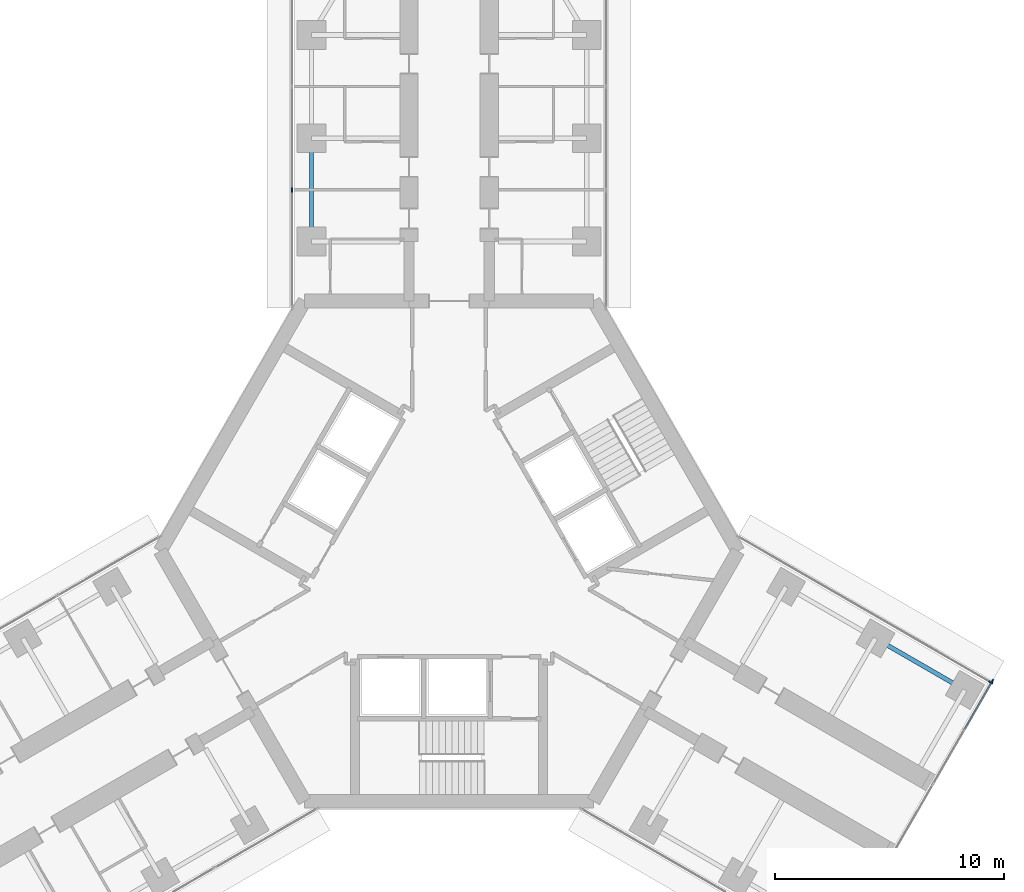
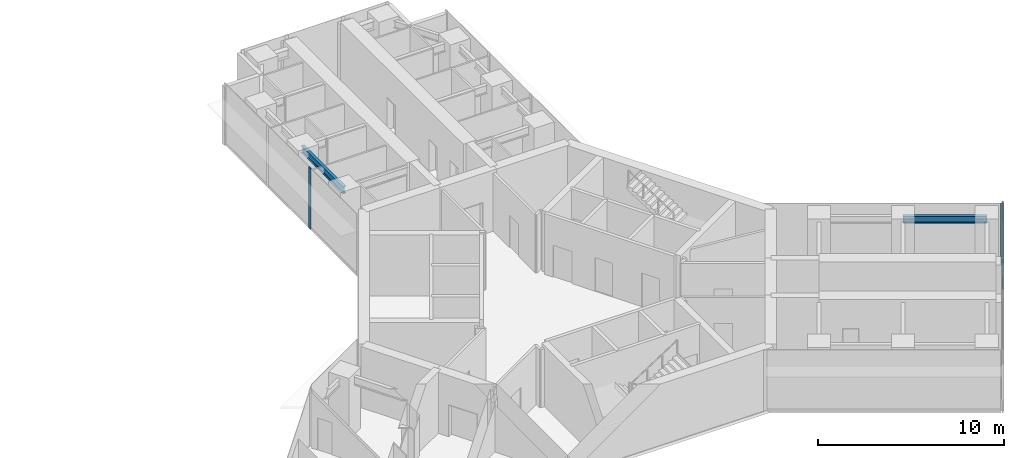
# One storey, part 11 of 23: 4 members, 2 beams, 3 elements without a shape of their own.
"""IFC4 building model written with IfcOpenShell, lengths in metres."""

from ifc_helpers import new_model, si_unit, direction, frame, origin, origin_2d, place, context, subcontext, project, spatial, rectangle, i_section, extrude, material, material_profile, profile_set, type_object, element, aggregate, save


model = new_model("IFC4")

# Units and contexts
model_context = context("Model", 3, precision=1e-05, world=origin(), true_north=direction((0.0, 1.0)))
body_context = subcontext(model_context, "Body", "Model", "MODEL_VIEW")
ifc_project = project(units=[si_unit("LENGTHUNIT", "METRE"), si_unit("AREAUNIT", "SQUARE_METRE"), si_unit("VOLUMEUNIT", "CUBIC_METRE"), si_unit("PLANEANGLEUNIT", "RADIAN"), si_unit("MASSUNIT", "GRAM", prefix="KILO")], contexts=[model_context])

# Site, building, storey
site_placement = place(None, origin())
site = spatial("IfcSite", under=ifc_project, at=site_placement, CompositionType="ELEMENT")
building_placement = place(site_placement, origin())
building = spatial("IfcBuilding", under=site, at=building_placement, Name="Upepo Twin Towers", CompositionType="ELEMENT")
storey_placement = place(building_placement, frame((0.0, 0.0, 145.5)))
storey = spatial("IfcBuildingStorey", under=building, at=storey_placement, Name="L35", CompositionType="ELEMENT", Elevation=145.5)

# Beams
ifc_material_1 = material(Name="Steel S355", Category="steel")
ifc_material_profile_1 = material_profile(ifc_material_1, i_section(OverallWidth=0.1904296875, OverallDepth=0.45703125, WebThickness=0.009033203125, FlangeThickness=0.014404296875, FilletRadius=0.01025390625, at=origin_2d()), Name="UB 457x191x74")
ifc_profile_set_1 = profile_set([ifc_material_profile_1], Name="Steel S355")
beam_type = type_object("IfcBeamType", Name="Beam UB 457x191x74", PredefinedType="BEAM", material=ifc_profile_set_1)
for number, where, z_axis, x_axis, name in (
    (1, (52.5, -4.5, 3.571533203125), (0.0, 1.0, 0.0), (-1.0, 0.0, 0.0), "T2 edge beam AL 13.5-18.0"),
    (2, (77.08837890625, -21.803955078125, 3.571533203125), (0.866031096941, -0.499990139034, 0.0), (0.499990139034, 0.866031096941, 0.0), "T2 edge beam CL 18.0-22.5"),
):
    element("IfcBeam", number, at=place(storey_placement, frame(where, z_axis=z_axis, x_axis=x_axis)), inside=storey, type_object=beam_type, Name=name, PredefinedType="BEAM", context=body_context, shape_type="SweptSolid", body=[
        extrude(i_section(OverallWidth=0.1904296875, OverallDepth=0.45703125, WebThickness=0.009033203125, FlangeThickness=0.014404296875, FilletRadius=0.01025390625, at=origin_2d()), origin(), (0.0, 0.0, 1.0), 4.5),
    ])

# Curtain wall, member
ifc_material_2 = material(Name="Aluminium and fritted glass", Category="aluminium")
curtain_wall_type = type_object("IfcCurtainWallType", Name="Tower curtain wall TW2, fritted glass", PredefinedType="NOTDEFINED", material=ifc_material_2)
curtain_wall_1_placement = place(storey_placement, origin())
curtain_wall_1 = element("IfcCurtainWall", 3, at=curtain_wall_1_placement, inside=storey, type_object=curtain_wall_type, Name="T2 L35 wing A flank L curtain wall", PredefinedType="NOTDEFINED")
ifc_material_3 = material(Name="Aluminium mullion", Category="aluminium")
ifc_material_profile_2 = material_profile(ifc_material_3, rectangle(XDim=0.06494140625, YDim=0.199951171875, at=origin_2d()), Name="MULLION 65x200")
ifc_profile_set_2 = profile_set([ifc_material_profile_2], Name="Aluminium mullion")
member_type_1 = type_object("IfcMemberType", Name="Mullion 65x200 TW2", PredefinedType="MULLION", material=ifc_profile_set_2)
member_1_placement = place(storey_placement, frame((51.64990234375, -2.25, 0.0), z_axis=(0.0, 0.0, 1.0), x_axis=(-1.0, 0.0, 0.0)))
member_1 = element("IfcMember", 4, at=member_1_placement, type_object=member_type_1, Name="T2 L35 wing A flank L curtain wall mullion 2", PredefinedType="MULLION", context=body_context, shape_type="SweptSolid", body=[
    extrude(rectangle(XDim=0.06494140625, YDim=0.199951171875, at=origin_2d()), origin(), (0.0, 0.0, 1.0), 4.0),
])
aggregate(curtain_wall_1, [member_1])

curtain_wall_2_placement = place(storey_placement, origin())
curtain_wall_2 = element("IfcCurtainWall", 5, at=curtain_wall_2_placement, inside=storey, type_object=curtain_wall_type, Name="T2 L35 wing C flank L curtain wall", PredefinedType="NOTDEFINED")
member_2_placement = place(storey_placement, frame((82.11865234375, -23.7265625, 0.0), z_axis=(0.0, 0.0, 1.0), x_axis=(0.50000000792, 0.866025399212, 0.0)))
member_2 = element("IfcMember", 6, at=member_2_placement, type_object=member_type_1, Name="T2 L35 wing C flank L curtain wall mullion 2", PredefinedType="MULLION", context=body_context, shape_type="SweptSolid", body=[
    extrude(rectangle(XDim=0.06494140625, YDim=0.199951171875, at=origin_2d()), origin(), (0.0, 0.0, 1.0), 4.0),
])
aggregate(curtain_wall_2, [member_2])

# Curtain wall, members
curtain_wall_3_placement = place(storey_placement, origin())
curtain_wall_3 = element("IfcCurtainWall", 7, at=curtain_wall_3_placement, inside=storey, type_object=curtain_wall_type, Name="T2 L35 wing C nose curtain wall", PredefinedType="NOTDEFINED")
member_3_placement = place(storey_placement, frame((82.180419921875, -23.684326171875, 0.0), z_axis=(0.0, 0.0, 1.0), x_axis=(-0.866025419745, 0.499999972355, 0.0)))
member_3 = element("IfcMember", 8, at=member_3_placement, type_object=member_type_1, Name="T2 L35 wing C nose curtain wall mullion 6", PredefinedType="MULLION", context=body_context, shape_type="SweptSolid", body=[
    extrude(rectangle(XDim=0.06494140625, YDim=0.199951171875, at=origin_2d()), origin(), (0.0, 0.0, 1.0), 4.0),
])
ifc_material_4 = material(Name="Aluminium transom", Category="aluminium")
ifc_material_profile_3 = material_profile(ifc_material_4, rectangle(XDim=0.06494140625, YDim=0.14990234375, at=origin_2d()), Name="TRANSOM 65x150")
ifc_profile_set_3 = profile_set([ifc_material_profile_3], Name="Aluminium transom")
member_type_2 = type_object("IfcMemberType", Name="Transom 65x150 TW2", PredefinedType="USERDEFINED", material=ifc_profile_set_3)
member_4_placement = place(storey_placement, frame((80.988037109375, -25.749755859375, 0.074951171875), z_axis=(0.50000093428, 0.866024864377, 0.0), x_axis=(-0.866024864377, 0.50000093428, 0.0)))
member_4 = element("IfcMember", 9, at=member_4_placement, type_object=member_type_2, Name="T2 L35 wing C nose curtain wall transom 5", ObjectType="TRANSOM", PredefinedType="USERDEFINED", context=body_context, shape_type="SweptSolid", body=[
    extrude(rectangle(XDim=0.06494140625, YDim=0.14990234375, at=origin_2d()), origin(), (0.0, 0.0, 1.0), 2.3525390625),
])
aggregate(curtain_wall_3, [member_3, member_4])

save(model, "model.ifc")
